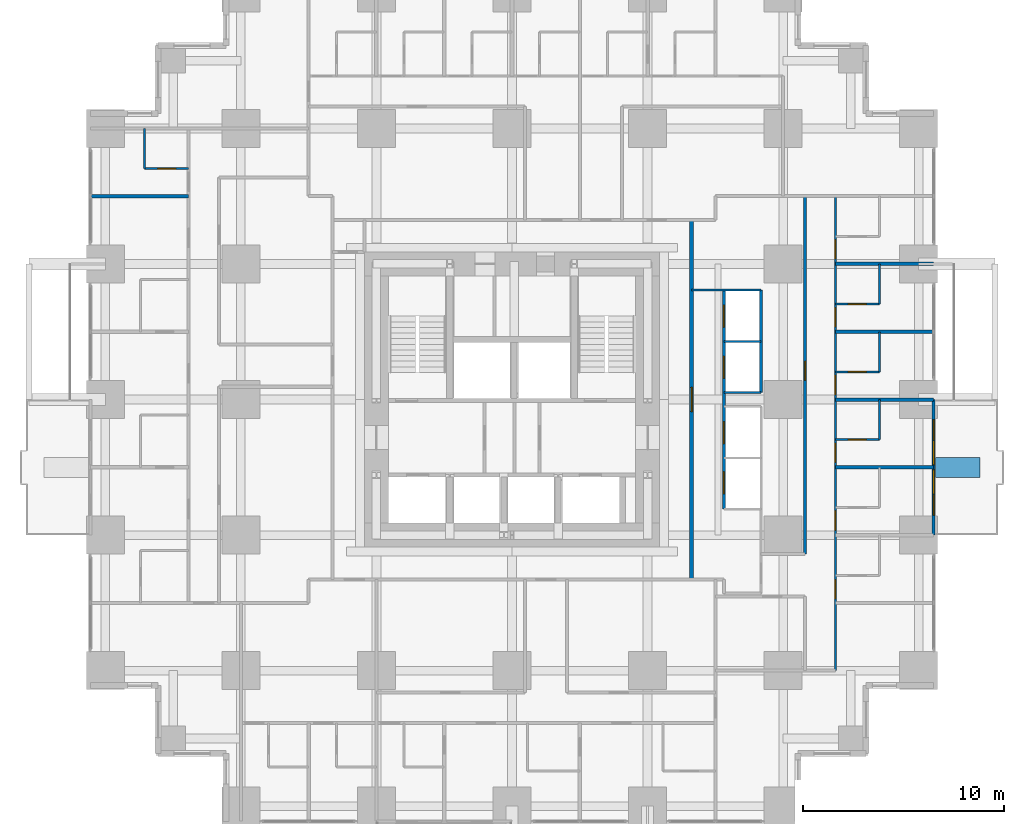
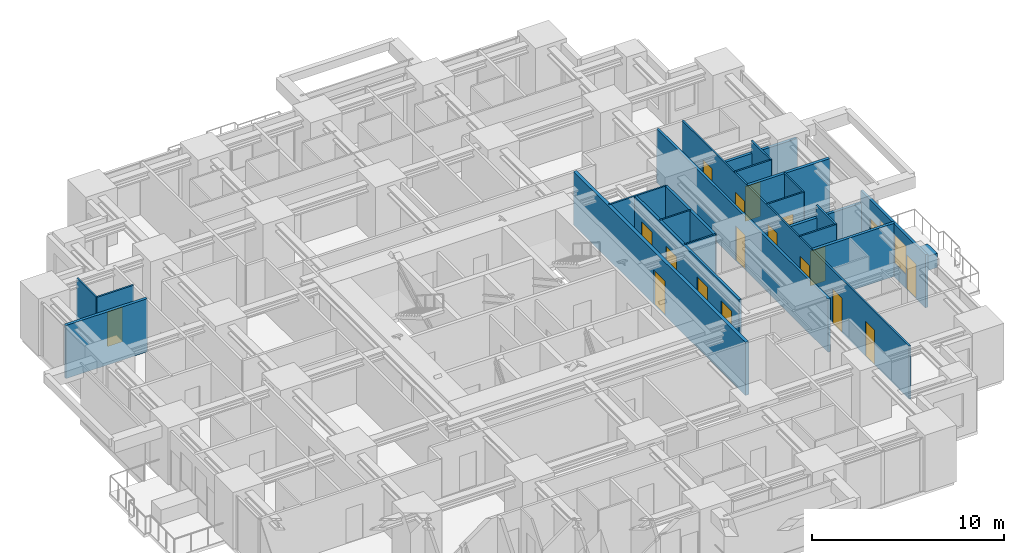
# One storey, part 11 of 15: 23 walls, 18 doors, 2 windows, 20 openings.
"""IFC4 building model written with IfcOpenShell, lengths in metres."""

from ifc_helpers import new_model, si_unit, direction, frame, frame_2d, origin, place, context, subcontext, project, spatial, rectangle, extrude, material, layer, layer_set, type_object, element, fill, save


model = new_model("IFC4")

# Units and contexts
model_context = context("Model", 3, precision=1e-05, world=origin(), true_north=direction((0.0, 1.0)))
body_context = subcontext(model_context, "Body", "Model", "MODEL_VIEW")
ifc_project = project(units=[si_unit("LENGTHUNIT", "METRE"), si_unit("AREAUNIT", "SQUARE_METRE"), si_unit("VOLUMEUNIT", "CUBIC_METRE"), si_unit("PLANEANGLEUNIT", "RADIAN"), si_unit("MASSUNIT", "GRAM", prefix="KILO")], contexts=[model_context])

# Site, building, storey
site_placement = place(None, origin())
site = spatial("IfcSite", under=ifc_project, at=site_placement, CompositionType="ELEMENT")
building_placement = place(site_placement, origin())
building = spatial("IfcBuilding", under=site, at=building_placement, Name="Nyansa Garden Tower", CompositionType="ELEMENT")
storey_placement = place(building_placement, frame((0.0, 0.0, 25.199951171875)))
storey = spatial("IfcBuildingStorey", under=building, at=storey_placement, Name="L06", CompositionType="ELEMENT", Elevation=25.199951171875)

# Walls
ifc_material_1 = material(Name="Dense blockwork, plastered both sides, 55 dB", Category="masonry")
ifc_layer_1 = layer(ifc_material_1, 0.175048828125)
ifc_layer_set_1 = layer_set([ifc_layer_1], Name="Acoustic party wall PW175")
wall_type_1 = type_object("IfcWallType", Name="Acoustic party wall PW175", PredefinedType="PARTITIONING", material=ifc_layer_set_1)
for number, where, z_axis, x_axis, name in (
    (1, (-0.73388671875, 30.375, 0.0), (0.0, 0.0, 1.0), (1.0, 0.0, 0.0), "Party wall"),
    (2, (36.35009765625, 16.875, 0.0), (0.0, 0.0, 1.0), (1.0, 0.0, 0.0), "Party wall"),
):
    element("IfcWall", number, at=place(storey_placement, frame(where, z_axis=z_axis, x_axis=x_axis)), inside=storey, type_object=wall_type_1, Name=name, PredefinedType="PARTITIONING", context=body_context, shape_type="SweptSolid", body=[
        extrude(rectangle(XDim=4.8837890625, YDim=0.175048828125, at=frame_2d((2.44189453125, 0.0))), origin(), (0.0, 0.0, 1.0), 3.375),
    ])
wall_1_placement = place(storey_placement, frame((36.35009765625, 20.25, 0.0), z_axis=(0.0, 0.0, 1.0), x_axis=(1.0, 0.0, 0.0)))
element("IfcWall", 3, at=wall_1_placement, inside=storey, type_object=wall_type_1, Name="Party wall", PredefinedType="PARTITIONING", context=body_context, shape_type="SweptSolid", body=[
    extrude(rectangle(XDim=4.8837890625, YDim=0.175048828125, at=frame_2d((2.44189453125, 0.0))), origin(), (0.0, 0.0, 1.0), 2.610107421875),
])
wall_2_placement = place(storey_placement, frame((36.35009765625, 23.625, 0.0), z_axis=(0.0, 0.0, 1.0), x_axis=(1.0, 0.0, 0.0)))
element("IfcWall", 4, at=wall_2_placement, inside=storey, type_object=wall_type_1, Name="Party wall", PredefinedType="PARTITIONING", context=body_context, shape_type="SweptSolid", body=[
    extrude(rectangle(XDim=4.8837890625, YDim=0.175048828125, at=frame_2d((2.44189453125, 0.0))), origin(), (0.0, 0.0, 1.0), 3.375),
])
wall_3_placement = place(storey_placement, frame((36.35009765625, 27.0, 0.0), z_axis=(0.0, 0.0, 1.0), x_axis=(1.0, 0.0, 0.0)))
element("IfcWall", 5, at=wall_3_placement, inside=storey, type_object=wall_type_1, Name="Party wall", PredefinedType="PARTITIONING", context=body_context, shape_type="SweptSolid", body=[
    extrude(rectangle(XDim=4.8837890625, YDim=0.175048828125, at=frame_2d((2.44189453125, 0.0))), origin(), (0.0, 0.0, 1.0), 2.610107421875),
])

# Wall, openings, doors, windows
ifc_material_2 = material(Name="Black aluminium framed glazed screen", Category="aluminium")
ifc_layer_2 = layer(ifc_material_2, 0.14990234375)
ifc_layer_set_2 = layer_set([ifc_layer_2], Name="Balcony screen wall BW150")
wall_type_2 = type_object("IfcWallType", Name="Balcony screen wall BW150", PredefinedType="SOLIDWALL", material=ifc_layer_set_2)
wall_4_placement = place(storey_placement, frame((41.25, 20.25, 0.0), z_axis=(0.0, 0.0, 1.0), x_axis=(0.0, -1.0, 0.0)))
wall_4 = element("IfcWall", 6, at=wall_4_placement, inside=storey, type_object=wall_type_2, Name="Glazed screen wall L06 E", PredefinedType="SOLIDWALL", context=body_context, shape_type="SweptSolid", body=[
    extrude(rectangle(XDim=6.75, YDim=0.14990234375, at=frame_2d((3.375, 0.0))), origin(), (0.0, 0.0, 1.0), 3.375),
])
opening_1_placement = place(wall_4_placement, frame((0.995849609375, 0.0, 0.0)))
opening_1 = element("IfcOpeningElement", 7, at=opening_1_placement, cuts=wall_4, Name="Opening D20", PredefinedType="OPENING", context=body_context, shape_type="SweptSolid", body=[
    extrude(rectangle(XDim=1.0, YDim=2.199951171875, at=frame_2d((0.5, 1.10009765625))), frame((0.0, 0.0849609375, 0.0), z_axis=(0.0, -1.0, 0.0), x_axis=(1.0, 0.0, 0.0)), (0.0, 0.0, 1.0), 0.169921875),
])
opening_2_placement = place(wall_4_placement, frame((2.041748046875, 0.0, 0.89990234375)))
opening_2 = element("IfcOpeningElement", 8, at=opening_2_placement, cuts=wall_4, Name="Opening W6", PredefinedType="OPENING", context=body_context, shape_type="SweptSolid", body=[
    extrude(rectangle(XDim=1.199951171875, YDim=1.800048828125, at=frame_2d((0.60009765625, 0.89990234375))), frame((0.0, 0.0849609375, 0.0), z_axis=(0.0, -1.0, 0.0), x_axis=(1.0, 0.0, 0.0)), (0.0, 0.0, 1.0), 0.169921875),
])
opening_3_placement = place(wall_4_placement, frame((4.754150390625, 0.0, 0.0)))
opening_3 = element("IfcOpeningElement", 9, at=opening_3_placement, cuts=wall_4, Name="Opening D20", PredefinedType="OPENING", context=body_context, shape_type="SweptSolid", body=[
    extrude(rectangle(XDim=1.0, YDim=2.199951171875, at=frame_2d((0.5, 1.10009765625))), frame((0.0, 0.0849609375, 0.0), z_axis=(0.0, -1.0, 0.0), x_axis=(1.0, 0.0, 0.0)), (0.0, 0.0, 1.0), 0.169921875),
])
opening_4_placement = place(wall_4_placement, frame((3.50830078125, 0.0, 0.89990234375)))
opening_4 = element("IfcOpeningElement", 10, at=opening_4_placement, cuts=wall_4, Name="Opening W6", PredefinedType="OPENING", context=body_context, shape_type="SweptSolid", body=[
    extrude(rectangle(XDim=1.199951171875, YDim=1.800048828125, at=frame_2d((0.60009765625, 0.89990234375))), frame((0.0, 0.0849609375, 0.0), z_axis=(0.0, -1.0, 0.0), x_axis=(1.0, 0.0, 0.0)), (0.0, 0.0, 1.0), 0.169921875),
])
ifc_material_3 = material(Name="Black aluminium framed glazed door", Category="aluminium")
door_type_1 = type_object("IfcDoorType", Name="Balcony door D20 1000x2200", OperationType="NOTDEFINED", PredefinedType="DOOR", material=ifc_material_3)
door_1_placement = place(opening_1_placement, origin())
door_1 = element("IfcDoor", 11, at=door_1_placement, inside=storey, type_object=door_type_1, Name="Balcony door L06", OperationType="SINGLE_SWING_LEFT", OverallHeight=2.199951171875, OverallWidth=1.0, PredefinedType="DOOR", context=body_context, shape_type="SweptSolid", body=[
    extrude(rectangle(XDim=1.0, YDim=2.199951171875, at=frame_2d((0.5, 1.10009765625))), frame((0.0, 0.02490234375, 0.0), z_axis=(0.0, -1.0, 0.0), x_axis=(1.0, 0.0, 0.0)), (0.0, 0.0, 1.0), 0.050048828125),
])
fill(opening_1, door_1)
door_2_placement = place(opening_3_placement, origin())
door_2 = element("IfcDoor", 12, at=door_2_placement, inside=storey, type_object=door_type_1, Name="Balcony door L06", OperationType="SINGLE_SWING_RIGHT", OverallHeight=2.199951171875, OverallWidth=1.0, PredefinedType="DOOR", context=body_context, shape_type="SweptSolid", body=[
    extrude(rectangle(XDim=1.0, YDim=2.199951171875, at=frame_2d((0.5, 1.10009765625))), frame((0.0, 0.02490234375, 0.0), z_axis=(0.0, -1.0, 0.0), x_axis=(1.0, 0.0, 0.0)), (0.0, 0.0, 1.0), 0.050048828125),
])
fill(opening_3, door_2)
ifc_material_4 = material(Name="Black aluminium frame, dark tinted double glazing", Category="aluminium")
window_type = type_object("IfcWindowType", Name="Balcony window W6 1200x1800", PartitioningType="SINGLE_PANEL", PredefinedType="WINDOW", material=ifc_material_4)
window_1_placement = place(opening_2_placement, origin())
window_1 = element("IfcWindow", 13, at=window_1_placement, inside=storey, type_object=window_type, Name="Window L06", OverallHeight=1.800048828125, OverallWidth=1.199951171875, PartitioningType="SINGLE_PANEL", PredefinedType="WINDOW", context=body_context, shape_type="SweptSolid", body=[
    extrude(rectangle(XDim=1.199951171875, YDim=1.800048828125, at=frame_2d((0.60009765625, 0.89990234375))), frame((0.0, 0.030029296875, 0.0), z_axis=(0.0, -1.0, 0.0), x_axis=(1.0, 0.0, 0.0)), (0.0, 0.0, 1.0), 0.06005859375),
])
fill(opening_2, window_1)
window_2_placement = place(opening_4_placement, origin())
window_2 = element("IfcWindow", 14, at=window_2_placement, inside=storey, type_object=window_type, Name="Window L06", OverallHeight=1.800048828125, OverallWidth=1.199951171875, PartitioningType="SINGLE_PANEL", PredefinedType="WINDOW", context=body_context, shape_type="SweptSolid", body=[
    extrude(rectangle(XDim=1.199951171875, YDim=1.800048828125, at=frame_2d((0.60009765625, 0.89990234375))), frame((0.0, 0.030029296875, 0.0), z_axis=(0.0, -1.0, 0.0), x_axis=(1.0, 0.0, 0.0)), (0.0, 0.0, 1.0), 0.06005859375),
])
fill(opening_4, window_2)

# Wall, opening, door
ifc_material_5 = material(Name="Concrete blockwork, plastered, 60 minute fire resisting", Category="masonry")
ifc_layer_3 = layer(ifc_material_5, 0.199951171875)
ifc_layer_set_3 = layer_set([ifc_layer_3], Name="Corridor wall FW200")
wall_type_3 = type_object("IfcWallType", Name="Corridor wall FW200", PredefinedType="PARTITIONING", material=ifc_layer_set_3)
wall_5_placement = place(storey_placement, frame((29.199951171875, 11.300048828125, 0.0), z_axis=(0.0, 0.0, 1.0), x_axis=(0.0, 1.0, 0.0)))
wall_5 = element("IfcWall", 15, at=wall_5_placement, inside=storey, type_object=wall_type_3, Name="Corridor wall", PredefinedType="PARTITIONING", context=body_context, shape_type="SweptSolid", body=[
    extrude(rectangle(XDim=17.89990234375, YDim=0.199951171875, at=frame_2d((8.949951171875, 0.0))), origin(), (0.0, 0.0, 1.0), 3.375),
])
opening_5_placement = place(wall_5_placement, frame((8.35009765625, 0.0, 0.0)))
opening_5 = element("IfcOpeningElement", 16, at=opening_5_placement, cuts=wall_5, Name="Opening D06", PredefinedType="OPENING", context=body_context, shape_type="SweptSolid", body=[
    extrude(rectangle(XDim=1.199951171875, YDim=2.199951171875, at=frame_2d((0.60009765625, 1.10009765625))), frame((0.0, 0.10986328125, 0.0), z_axis=(0.0, -1.0, 0.0), x_axis=(1.0, 0.0, 0.0)), (0.0, 0.0, 1.0), 0.219970703125),
])
ifc_material_6 = material(Name="Steel door, 120 minute fire resisting", Category="steel")
door_type_2 = type_object("IfcDoorType", Name="Lobby door D06 1200x2200", OperationType="DOUBLE_DOOR_SINGLE_SWING", PredefinedType="DOOR", material=ifc_material_6)
door_3_placement = place(opening_5_placement, origin())
door_3 = element("IfcDoor", 17, at=door_3_placement, inside=storey, type_object=door_type_2, Name="Low-rise lift lobby door", OperationType="DOUBLE_DOOR_SINGLE_SWING", OverallHeight=2.199951171875, OverallWidth=1.199951171875, PredefinedType="DOOR", context=body_context, shape_type="SweptSolid", body=[
    extrude(rectangle(XDim=1.199951171875, YDim=2.199951171875, at=frame_2d((0.60009765625, 1.10009765625))), frame((0.0, 0.02490234375, 0.0), z_axis=(0.0, -1.0, 0.0), x_axis=(1.0, 0.0, 0.0)), (0.0, 0.0, 1.0), 0.050048828125),
])
fill(opening_5, door_3)

# Walls
ifc_material_7 = material(Name="Steel-stud shaft wall, two layers fire-rated board, EI 120", Category="steel")
ifc_layer_4 = layer(ifc_material_7, 0.10009765625)
ifc_layer_set_4 = layer_set([ifc_layer_4], Name="Lift shaft wall SW100")
wall_type_4 = type_object("IfcWallType", Name="Lift shaft wall SW100", PredefinedType="SHEAR", material=ifc_layer_set_4)
wall_6_placement = place(storey_placement, frame((29.199951171875, 25.699951171875, 0.0), z_axis=(0.0, 0.0, 1.0), x_axis=(1.0, 0.0, 0.0)))
element("IfcWall", 18, at=wall_6_placement, inside=storey, type_object=wall_type_4, Name="Lift shaft wall", PredefinedType="SHEAR", context=body_context, shape_type="SweptSolid", body=[
    extrude(rectangle(XDim=3.449951171875, YDim=0.10009765625, at=frame_2d((1.72509765625, 0.0))), origin(), (0.0, 0.0, 1.0), 3.375),
])
for number, where, z_axis, x_axis, name in (
    (19, (30.800048828125, 20.60009765625, 0.0), (0.0, 0.0, 1.0), (1.0, 0.0, 0.0), "Lift shaft wall"),
    (20, (30.800048828125, 23.14990234375, 0.0), (0.0, 0.0, 1.0), (1.0, 0.0, 0.0), "Lift shaft wall"),
):
    element("IfcWall", number, at=place(storey_placement, frame(where, z_axis=z_axis, x_axis=x_axis)), inside=storey, type_object=wall_type_4, Name=name, PredefinedType="SHEAR", context=body_context, shape_type="SweptSolid", body=[
        extrude(rectangle(XDim=1.849853515625, YDim=0.10009765625, at=frame_2d((0.9248046875, 0.0))), origin(), (0.0, 0.0, 1.0), 3.375),
    ])

# Wall, openings, doors
ifc_material_8 = material(Name="Blockwork, plastered both sides", Category="masonry")
ifc_layer_5 = layer(ifc_material_8, 0.14990234375)
ifc_layer_set_5 = layer_set([ifc_layer_5], Name="Partition PW150")
wall_type_5 = type_object("IfcWallType", Name="Partition PW150", PredefinedType="PARTITIONING", material=ifc_layer_set_5)
wall_7_placement = place(storey_placement, frame((30.800048828125, 14.800048828125, 0.0), z_axis=(0.0, 0.0, 1.0), x_axis=(0.0, 1.0, 0.0)))
wall_7 = element("IfcWall", 21, at=wall_7_placement, inside=storey, type_object=wall_type_5, Name="Partition", PredefinedType="PARTITIONING", context=body_context, shape_type="SweptSolid", body=[
    extrude(rectangle(XDim=10.89990234375, YDim=0.14990234375, at=frame_2d((5.449951171875, 0.0))), origin(), (0.0, 0.0, 1.0), 3.375),
])
opening_6_placement = place(wall_7_placement, frame((0.75, 0.0, 0.0)))
opening_6 = element("IfcOpeningElement", 22, at=opening_6_placement, cuts=wall_7, Name="Opening LD-A", PredefinedType="OPENING", context=body_context, shape_type="SweptSolid", body=[
    extrude(rectangle(XDim=1.10009765625, YDim=2.199951171875, at=frame_2d((0.550048828125, 1.10009765625))), frame((0.0, 0.0849609375, 0.0), z_axis=(0.0, -1.0, 0.0), x_axis=(1.0, 0.0, 0.0)), (0.0, 0.0, 1.0), 0.169921875),
])
opening_7_placement = place(wall_7_placement, frame((3.25, 0.0, 0.0)))
opening_7 = element("IfcOpeningElement", 23, at=opening_7_placement, cuts=wall_7, Name="Opening LD-A", PredefinedType="OPENING", context=body_context, shape_type="SweptSolid", body=[
    extrude(rectangle(XDim=1.10009765625, YDim=2.199951171875, at=frame_2d((0.550048828125, 1.10009765625))), frame((0.0, 0.0849609375, 0.0), z_axis=(0.0, -1.0, 0.0), x_axis=(1.0, 0.0, 0.0)), (0.0, 0.0, 1.0), 0.169921875),
])
opening_8_placement = place(wall_7_placement, frame((6.5, 0.0, 0.0)))
opening_8 = element("IfcOpeningElement", 24, at=opening_8_placement, cuts=wall_7, Name="Opening LD-A", PredefinedType="OPENING", context=body_context, shape_type="SweptSolid", body=[
    extrude(rectangle(XDim=1.10009765625, YDim=2.199951171875, at=frame_2d((0.550048828125, 1.10009765625))), frame((0.0, 0.0849609375, 0.0), z_axis=(0.0, -1.0, 0.0), x_axis=(1.0, 0.0, 0.0)), (0.0, 0.0, 1.0), 0.169921875),
])
opening_9_placement = place(wall_7_placement, frame((9.050048828125, 0.0, 0.0)))
opening_9 = element("IfcOpeningElement", 25, at=opening_9_placement, cuts=wall_7, Name="Opening LD-A", PredefinedType="OPENING", context=body_context, shape_type="SweptSolid", body=[
    extrude(rectangle(XDim=1.10009765625, YDim=2.199951171875, at=frame_2d((0.550048828125, 1.10009765625))), frame((0.0, 0.0849609375, 0.0), z_axis=(0.0, -1.0, 0.0), x_axis=(1.0, 0.0, 0.0)), (0.0, 0.0, 1.0), 0.169921875),
])
ifc_material_9 = material(Name="Stainless steel centre-opening landing door of the low-rise lift, E 120", Category="steel")
door_type_3 = type_object("IfcDoorType", Name="Lift landing door LD-A 1100x2200", OperationType="DOUBLE_DOOR_SLIDING", PredefinedType="DOOR", material=ifc_material_9)
door_4_placement = place(opening_6_placement, origin())
door_4 = element("IfcDoor", 26, at=door_4_placement, inside=storey, type_object=door_type_3, Name="Landing door A1", OperationType="DOUBLE_DOOR_SLIDING", OverallHeight=2.199951171875, OverallWidth=1.10009765625, PredefinedType="DOOR", context=body_context, shape_type="SweptSolid", body=[
    extrude(rectangle(XDim=1.10009765625, YDim=2.199951171875, at=frame_2d((0.550048828125, 1.10009765625))), frame((0.0, 0.02490234375, 0.0), z_axis=(0.0, -1.0, 0.0), x_axis=(1.0, 0.0, 0.0)), (0.0, 0.0, 1.0), 0.050048828125),
])
fill(opening_6, door_4)
door_5_placement = place(opening_7_placement, origin())
door_5 = element("IfcDoor", 27, at=door_5_placement, inside=storey, type_object=door_type_3, Name="Landing door A2", OperationType="DOUBLE_DOOR_SLIDING", OverallHeight=2.199951171875, OverallWidth=1.10009765625, PredefinedType="DOOR", context=body_context, shape_type="SweptSolid", body=[
    extrude(rectangle(XDim=1.10009765625, YDim=2.199951171875, at=frame_2d((0.550048828125, 1.10009765625))), frame((0.0, 0.02490234375, 0.0), z_axis=(0.0, -1.0, 0.0), x_axis=(1.0, 0.0, 0.0)), (0.0, 0.0, 1.0), 0.050048828125),
])
fill(opening_7, door_5)
door_6_placement = place(opening_8_placement, origin())
door_6 = element("IfcDoor", 28, at=door_6_placement, inside=storey, type_object=door_type_3, Name="Landing door A3", OperationType="DOUBLE_DOOR_SLIDING", OverallHeight=2.199951171875, OverallWidth=1.10009765625, PredefinedType="DOOR", context=body_context, shape_type="SweptSolid", body=[
    extrude(rectangle(XDim=1.10009765625, YDim=2.199951171875, at=frame_2d((0.550048828125, 1.10009765625))), frame((0.0, 0.02490234375, 0.0), z_axis=(0.0, -1.0, 0.0), x_axis=(1.0, 0.0, 0.0)), (0.0, 0.0, 1.0), 0.050048828125),
])
fill(opening_8, door_6)
door_7_placement = place(opening_9_placement, origin())
door_7 = element("IfcDoor", 29, at=door_7_placement, inside=storey, type_object=door_type_3, Name="Landing door A4", OperationType="DOUBLE_DOOR_SLIDING", OverallHeight=2.199951171875, OverallWidth=1.10009765625, PredefinedType="DOOR", context=body_context, shape_type="SweptSolid", body=[
    extrude(rectangle(XDim=1.10009765625, YDim=2.199951171875, at=frame_2d((0.550048828125, 1.10009765625))), frame((0.0, 0.02490234375, 0.0), z_axis=(0.0, -1.0, 0.0), x_axis=(1.0, 0.0, 0.0)), (0.0, 0.0, 1.0), 0.050048828125),
])
fill(opening_9, door_7)

# Wall
wall_8_placement = place(storey_placement, frame((32.64990234375, 20.60009765625, 0.0), z_axis=(0.0, 0.0, 1.0), x_axis=(0.0, 1.0, 0.0)))
element("IfcWall", 30, at=wall_8_placement, inside=storey, type_object=wall_type_5, Name="Partition", PredefinedType="PARTITIONING", context=body_context, shape_type="SweptSolid", body=[
    extrude(rectangle(XDim=5.099853515625, YDim=0.14990234375, at=frame_2d((2.5498046875, 0.0))), origin(), (0.0, 0.0, 1.0), 3.375),
])

# Wall, opening, door
wall_9_placement = place(storey_placement, frame((34.85009765625, 12.550048828125, 0.0), z_axis=(0.0, 0.0, 1.0), x_axis=(0.0, 1.0, 0.0)))
wall_9 = element("IfcWall", 31, at=wall_9_placement, inside=storey, type_object=wall_type_5, Name="Partition", PredefinedType="PARTITIONING", context=body_context, shape_type="SweptSolid", body=[
    extrude(rectangle(XDim=17.824951171875, YDim=0.14990234375, at=frame_2d((8.91259765625, 0.0))), origin(), (0.0, 0.0, 1.0), 3.375),
])
opening_10_placement = place(wall_9_placement, frame((8.64990234375, 0.0, 0.0)))
opening_10 = element("IfcOpeningElement", 32, at=opening_10_placement, cuts=wall_9, Name="Opening D01", PredefinedType="OPENING", context=body_context, shape_type="SweptSolid", body=[
    extrude(rectangle(XDim=0.949951171875, YDim=2.199951171875, at=frame_2d((0.47509765625, 1.10009765625))), frame((0.0, 0.0849609375, 0.0), z_axis=(0.0, -1.0, 0.0), x_axis=(1.0, 0.0, 0.0)), (0.0, 0.0, 1.0), 0.169921875),
])
ifc_material_10 = material(Name="Timber flush door, 30 minute fire resisting", Category="wood")
door_type_4 = type_object("IfcDoorType", Name="Bedroom door D01 950x2200", OperationType="SINGLE_SWING_LEFT", PredefinedType="DOOR", material=ifc_material_10)
door_8_placement = place(opening_10_placement, origin())
door_8 = element("IfcDoor", 33, at=door_8_placement, inside=storey, type_object=door_type_4, Name="Door L06-047", OperationType="SINGLE_SWING_LEFT", OverallHeight=2.199951171875, OverallWidth=0.949951171875, PredefinedType="DOOR", context=body_context, shape_type="SweptSolid", body=[
    extrude(rectangle(XDim=0.949951171875, YDim=2.199951171875, at=frame_2d((0.47509765625, 1.10009765625))), frame((0.0, 0.02490234375, 0.0), z_axis=(0.0, -1.0, 0.0), x_axis=(1.0, 0.0, 0.0)), (0.0, 0.0, 1.0), 0.050048828125),
])
fill(opening_10, door_8)

# Walls
ifc_material_11 = material(Name="Concrete C40/50 planter, waterproofed", Category="concrete")
ifc_layer_6 = layer(ifc_material_11, 1.0)
ifc_layer_set_6 = layer_set([ifc_layer_6], Name="Tree planter TP1")
wall_type_6 = type_object("IfcWallType", Name="Tree planter TP1", PredefinedType="USERDEFINED", material=ifc_layer_set_6)
wall_10_placement = place(storey_placement, frame((41.35009765625, 16.875, 0.0), z_axis=(0.0, 0.0, 1.0), x_axis=(1.0, 0.0, 0.0)))
element("IfcWall", 34, at=wall_10_placement, inside=storey, type_object=wall_type_6, Name="Tree planter L06", ObjectType="TREE PLANTER", PredefinedType="USERDEFINED", context=body_context, shape_type="SweptSolid", body=[
    extrude(rectangle(XDim=2.199951171875, YDim=1.0, at=frame_2d((1.10009765625, 0.0))), origin(), (0.0, 0.0, 1.0), 0.900146484375),
])
ifc_material_12 = material(Name="Moisture resistant board on steel studs, tiled", Category="steel")
ifc_layer_7 = layer(ifc_material_12, 0.10009765625)
ifc_layer_set_7 = layer_set([ifc_layer_7], Name="Wet wall PW100")
wall_type_7 = type_object("IfcWallType", Name="Wet wall PW100", PredefinedType="PARTITIONING", material=ifc_layer_set_7)
wall_11_placement = place(storey_placement, frame((1.949951171875, 31.75, 0.0), z_axis=(0.0, 0.0, 1.0), x_axis=(0.0, 1.0, 0.0)))
element("IfcWall", 35, at=wall_11_placement, inside=storey, type_object=wall_type_7, Name="Wet wall", PredefinedType="PARTITIONING", context=body_context, shape_type="SweptSolid", body=[
    extrude(rectangle(XDim=2.0, YDim=0.10009765625, at=frame_2d((1.0, 0.0))), origin(), (0.0, 0.0, 1.0), 3.375),
])

# Wall, opening, door
wall_12_placement = place(storey_placement, frame((1.949951171875, 31.75, 0.0), z_axis=(0.0, 0.0, 1.0), x_axis=(1.0, 0.0, 0.0)))
wall_12 = element("IfcWall", 36, at=wall_12_placement, inside=storey, type_object=wall_type_7, Name="Wet wall", PredefinedType="PARTITIONING", context=body_context, shape_type="SweptSolid", body=[
    extrude(rectangle(XDim=2.199951171875, YDim=0.10009765625, at=frame_2d((1.10009765625, 0.0))), origin(), (0.0, 0.0, 1.0), 3.375),
])
opening_11_placement = place(wall_12_placement, frame((0.64990234375, 0.0, 0.0)))
opening_11 = element("IfcOpeningElement", 37, at=opening_11_placement, cuts=wall_12, Name="Opening D02", PredefinedType="OPENING", context=body_context, shape_type="SweptSolid", body=[
    extrude(rectangle(XDim=0.89990234375, YDim=2.199951171875, at=frame_2d((0.449951171875, 1.10009765625))), frame((0.0, 0.06005859375, 0.0), z_axis=(0.0, -1.0, 0.0), x_axis=(1.0, 0.0, 0.0)), (0.0, 0.0, 1.0), 0.1201171875),
])
ifc_material_13 = material(Name="Timber flush door", Category="wood")
door_type_5 = type_object("IfcDoorType", Name="En-suite door D02 900x2200", OperationType="SINGLE_SWING_RIGHT", PredefinedType="DOOR", material=ifc_material_13)
door_9_placement = place(opening_11_placement, origin())
door_9 = element("IfcDoor", 38, at=door_9_placement, inside=storey, type_object=door_type_5, Name="Door L06-074", OperationType="SINGLE_SWING_RIGHT", OverallHeight=2.199951171875, OverallWidth=0.89990234375, PredefinedType="DOOR", context=body_context, shape_type="SweptSolid", body=[
    extrude(rectangle(XDim=0.89990234375, YDim=2.199951171875, at=frame_2d((0.449951171875, 1.10009765625))), frame((0.0, 0.02490234375, 0.0), z_axis=(0.0, -1.0, 0.0), x_axis=(1.0, 0.0, 0.0)), (0.0, 0.0, 1.0), 0.050048828125),
])
fill(opening_11, door_9)

# Wall, openings, doors
wall_13_placement = place(storey_placement, frame((36.35009765625, 6.75, 0.0), z_axis=(0.0, 0.0, 1.0), x_axis=(0.0, 1.0, 0.0)))
wall_13 = element("IfcWall", 39, at=wall_13_placement, inside=storey, type_object=wall_type_7, Name="Wet wall", PredefinedType="PARTITIONING", context=body_context, shape_type="SweptSolid", body=[
    extrude(rectangle(XDim=23.625, YDim=0.10009765625, at=frame_2d((11.8125, 0.0))), origin(), (0.0, 0.0, 1.0), 3.375),
])
opening_12_placement = place(wall_13_placement, frame((3.574951171875, 0.0, 0.0)))
opening_12 = element("IfcOpeningElement", 40, at=opening_12_placement, cuts=wall_13, Name="Opening D14", PredefinedType="OPENING", context=body_context, shape_type="SweptSolid", body=[
    extrude(rectangle(XDim=0.949951171875, YDim=2.199951171875, at=frame_2d((0.47509765625, 1.10009765625))), frame((0.0, 0.06005859375, 0.0), z_axis=(0.0, -1.0, 0.0), x_axis=(1.0, 0.0, 0.0)), (0.0, 0.0, 1.0), 0.1201171875),
])
opening_13_placement = place(wall_13_placement, frame((7.0, 0.0, 0.0)))
opening_13 = element("IfcOpeningElement", 41, at=opening_13_placement, cuts=wall_13, Name="Opening D14", PredefinedType="OPENING", context=body_context, shape_type="SweptSolid", body=[
    extrude(rectangle(XDim=0.949951171875, YDim=2.199951171875, at=frame_2d((0.47509765625, 1.10009765625))), frame((0.0, 0.06005859375, 0.0), z_axis=(0.0, -1.0, 0.0), x_axis=(1.0, 0.0, 0.0)), (0.0, 0.0, 1.0), 0.1201171875),
])
opening_14_placement = place(wall_13_placement, frame((10.375, 0.0, 0.0)))
opening_14 = element("IfcOpeningElement", 42, at=opening_14_placement, cuts=wall_13, Name="Opening D14", PredefinedType="OPENING", context=body_context, shape_type="SweptSolid", body=[
    extrude(rectangle(XDim=0.949951171875, YDim=2.199951171875, at=frame_2d((0.47509765625, 1.10009765625))), frame((0.0, 0.06005859375, 0.0), z_axis=(0.0, -1.0, 0.0), x_axis=(1.0, 0.0, 0.0)), (0.0, 0.0, 1.0), 0.1201171875),
])
opening_15_placement = place(wall_13_placement, frame((13.75, 0.0, 0.0)))
opening_15 = element("IfcOpeningElement", 43, at=opening_15_placement, cuts=wall_13, Name="Opening D14", PredefinedType="OPENING", context=body_context, shape_type="SweptSolid", body=[
    extrude(rectangle(XDim=0.949951171875, YDim=2.199951171875, at=frame_2d((0.47509765625, 1.10009765625))), frame((0.0, 0.06005859375, 0.0), z_axis=(0.0, -1.0, 0.0), x_axis=(1.0, 0.0, 0.0)), (0.0, 0.0, 1.0), 0.1201171875),
])
opening_16_placement = place(wall_13_placement, frame((17.125, 0.0, 0.0)))
opening_16 = element("IfcOpeningElement", 44, at=opening_16_placement, cuts=wall_13, Name="Opening D14", PredefinedType="OPENING", context=body_context, shape_type="SweptSolid", body=[
    extrude(rectangle(XDim=0.949951171875, YDim=2.199951171875, at=frame_2d((0.47509765625, 1.10009765625))), frame((0.0, 0.06005859375, 0.0), z_axis=(0.0, -1.0, 0.0), x_axis=(1.0, 0.0, 0.0)), (0.0, 0.0, 1.0), 0.1201171875),
])
opening_17_placement = place(wall_13_placement, frame((20.5, 0.0, 0.0)))
opening_17 = element("IfcOpeningElement", 45, at=opening_17_placement, cuts=wall_13, Name="Opening D14", PredefinedType="OPENING", context=body_context, shape_type="SweptSolid", body=[
    extrude(rectangle(XDim=0.949951171875, YDim=2.199951171875, at=frame_2d((0.47509765625, 1.10009765625))), frame((0.0, 0.06005859375, 0.0), z_axis=(0.0, -1.0, 0.0), x_axis=(1.0, 0.0, 0.0)), (0.0, 0.0, 1.0), 0.1201171875),
])
ifc_material_14 = material(Name="Timber flush door, 60 minute fire resisting, self-closing", Category="wood")
door_type_6 = type_object("IfcDoorType", Name="Studio entrance door D14 950x2200", OperationType="SINGLE_SWING_LEFT", PredefinedType="DOOR", material=ifc_material_14)
door_10_placement = place(opening_12_placement, origin())
door_10 = element("IfcDoor", 46, at=door_10_placement, inside=storey, type_object=door_type_6, Name="Door L06-034", OperationType="SINGLE_SWING_LEFT", OverallHeight=2.199951171875, OverallWidth=0.949951171875, PredefinedType="DOOR", context=body_context, shape_type="SweptSolid", body=[
    extrude(rectangle(XDim=0.949951171875, YDim=2.199951171875, at=frame_2d((0.47509765625, 1.10009765625))), frame((0.0, 0.02490234375, 0.0), z_axis=(0.0, -1.0, 0.0), x_axis=(1.0, 0.0, 0.0)), (0.0, 0.0, 1.0), 0.050048828125),
])
fill(opening_12, door_10)
door_11_placement = place(opening_13_placement, origin())
door_11 = element("IfcDoor", 47, at=door_11_placement, inside=storey, type_object=door_type_6, Name="Door L06-036", OperationType="SINGLE_SWING_LEFT", OverallHeight=2.199951171875, OverallWidth=0.949951171875, PredefinedType="DOOR", context=body_context, shape_type="SweptSolid", body=[
    extrude(rectangle(XDim=0.949951171875, YDim=2.199951171875, at=frame_2d((0.47509765625, 1.10009765625))), frame((0.0, 0.02490234375, 0.0), z_axis=(0.0, -1.0, 0.0), x_axis=(1.0, 0.0, 0.0)), (0.0, 0.0, 1.0), 0.050048828125),
])
fill(opening_13, door_11)
door_12_placement = place(opening_14_placement, origin())
door_12 = element("IfcDoor", 48, at=door_12_placement, inside=storey, type_object=door_type_6, Name="Door L06-038", OperationType="SINGLE_SWING_LEFT", OverallHeight=2.199951171875, OverallWidth=0.949951171875, PredefinedType="DOOR", context=body_context, shape_type="SweptSolid", body=[
    extrude(rectangle(XDim=0.949951171875, YDim=2.199951171875, at=frame_2d((0.47509765625, 1.10009765625))), frame((0.0, 0.02490234375, 0.0), z_axis=(0.0, -1.0, 0.0), x_axis=(1.0, 0.0, 0.0)), (0.0, 0.0, 1.0), 0.050048828125),
])
fill(opening_14, door_12)
door_13_placement = place(opening_15_placement, origin())
door_13 = element("IfcDoor", 49, at=door_13_placement, inside=storey, type_object=door_type_6, Name="Door L06-040", OperationType="SINGLE_SWING_LEFT", OverallHeight=2.199951171875, OverallWidth=0.949951171875, PredefinedType="DOOR", context=body_context, shape_type="SweptSolid", body=[
    extrude(rectangle(XDim=0.949951171875, YDim=2.199951171875, at=frame_2d((0.47509765625, 1.10009765625))), frame((0.0, 0.02490234375, 0.0), z_axis=(0.0, -1.0, 0.0), x_axis=(1.0, 0.0, 0.0)), (0.0, 0.0, 1.0), 0.050048828125),
])
fill(opening_15, door_13)
door_14_placement = place(opening_16_placement, origin())
door_14 = element("IfcDoor", 50, at=door_14_placement, inside=storey, type_object=door_type_6, Name="Door L06-042", OperationType="SINGLE_SWING_LEFT", OverallHeight=2.199951171875, OverallWidth=0.949951171875, PredefinedType="DOOR", context=body_context, shape_type="SweptSolid", body=[
    extrude(rectangle(XDim=0.949951171875, YDim=2.199951171875, at=frame_2d((0.47509765625, 1.10009765625))), frame((0.0, 0.02490234375, 0.0), z_axis=(0.0, -1.0, 0.0), x_axis=(1.0, 0.0, 0.0)), (0.0, 0.0, 1.0), 0.050048828125),
])
fill(opening_16, door_14)
door_15_placement = place(opening_17_placement, origin())
door_15 = element("IfcDoor", 51, at=door_15_placement, inside=storey, type_object=door_type_6, Name="Door L06-044", OperationType="SINGLE_SWING_LEFT", OverallHeight=2.199951171875, OverallWidth=0.949951171875, PredefinedType="DOOR", context=body_context, shape_type="SweptSolid", body=[
    extrude(rectangle(XDim=0.949951171875, YDim=2.199951171875, at=frame_2d((0.47509765625, 1.10009765625))), frame((0.0, 0.02490234375, 0.0), z_axis=(0.0, -1.0, 0.0), x_axis=(1.0, 0.0, 0.0)), (0.0, 0.0, 1.0), 0.050048828125),
])
fill(opening_17, door_15)

# Wall, opening, door
wall_14_placement = place(storey_placement, frame((36.35009765625, 18.25, 0.0), z_axis=(0.0, 0.0, 1.0), x_axis=(1.0, 0.0, 0.0)))
wall_14 = element("IfcWall", 52, at=wall_14_placement, inside=storey, type_object=wall_type_7, Name="Wet wall", PredefinedType="PARTITIONING", context=body_context, shape_type="SweptSolid", body=[
    extrude(rectangle(XDim=2.199951171875, YDim=0.10009765625, at=frame_2d((1.10009765625, 0.0))), origin(), (0.0, 0.0, 1.0), 3.375),
])
opening_18_placement = place(wall_14_placement, frame((0.64990234375, 0.0, 0.0)))
opening_18 = element("IfcOpeningElement", 53, at=opening_18_placement, cuts=wall_14, Name="Opening D02", PredefinedType="OPENING", context=body_context, shape_type="SweptSolid", body=[
    extrude(rectangle(XDim=0.89990234375, YDim=2.199951171875, at=frame_2d((0.449951171875, 1.10009765625))), frame((0.0, 0.06005859375, 0.0), z_axis=(0.0, -1.0, 0.0), x_axis=(1.0, 0.0, 0.0)), (0.0, 0.0, 1.0), 0.1201171875),
])
door_16_placement = place(opening_18_placement, origin())
door_16 = element("IfcDoor", 54, at=door_16_placement, inside=storey, type_object=door_type_5, Name="Door L06-039", OperationType="SINGLE_SWING_RIGHT", OverallHeight=2.199951171875, OverallWidth=0.89990234375, PredefinedType="DOOR", context=body_context, shape_type="SweptSolid", body=[
    extrude(rectangle(XDim=0.89990234375, YDim=2.199951171875, at=frame_2d((0.449951171875, 1.10009765625))), frame((0.0, 0.02490234375, 0.0), z_axis=(0.0, -1.0, 0.0), x_axis=(1.0, 0.0, 0.0)), (0.0, 0.0, 1.0), 0.050048828125),
])
fill(opening_18, door_16)

wall_15_placement = place(storey_placement, frame((36.35009765625, 21.625, 0.0), z_axis=(0.0, 0.0, 1.0), x_axis=(1.0, 0.0, 0.0)))
wall_15 = element("IfcWall", 55, at=wall_15_placement, inside=storey, type_object=wall_type_7, Name="Wet wall", PredefinedType="PARTITIONING", context=body_context, shape_type="SweptSolid", body=[
    extrude(rectangle(XDim=2.199951171875, YDim=0.10009765625, at=frame_2d((1.10009765625, 0.0))), origin(), (0.0, 0.0, 1.0), 3.375),
])
opening_19_placement = place(wall_15_placement, frame((0.64990234375, 0.0, 0.0)))
opening_19 = element("IfcOpeningElement", 56, at=opening_19_placement, cuts=wall_15, Name="Opening D02", PredefinedType="OPENING", context=body_context, shape_type="SweptSolid", body=[
    extrude(rectangle(XDim=0.89990234375, YDim=2.199951171875, at=frame_2d((0.449951171875, 1.10009765625))), frame((0.0, 0.06005859375, 0.0), z_axis=(0.0, -1.0, 0.0), x_axis=(1.0, 0.0, 0.0)), (0.0, 0.0, 1.0), 0.1201171875),
])
door_17_placement = place(opening_19_placement, origin())
door_17 = element("IfcDoor", 57, at=door_17_placement, inside=storey, type_object=door_type_5, Name="Door L06-041", OperationType="SINGLE_SWING_RIGHT", OverallHeight=2.199951171875, OverallWidth=0.89990234375, PredefinedType="DOOR", context=body_context, shape_type="SweptSolid", body=[
    extrude(rectangle(XDim=0.89990234375, YDim=2.199951171875, at=frame_2d((0.449951171875, 1.10009765625))), frame((0.0, 0.02490234375, 0.0), z_axis=(0.0, -1.0, 0.0), x_axis=(1.0, 0.0, 0.0)), (0.0, 0.0, 1.0), 0.050048828125),
])
fill(opening_19, door_17)

wall_16_placement = place(storey_placement, frame((36.35009765625, 25.0, 0.0), z_axis=(0.0, 0.0, 1.0), x_axis=(1.0, 0.0, 0.0)))
wall_16 = element("IfcWall", 58, at=wall_16_placement, inside=storey, type_object=wall_type_7, Name="Wet wall", PredefinedType="PARTITIONING", context=body_context, shape_type="SweptSolid", body=[
    extrude(rectangle(XDim=2.199951171875, YDim=0.10009765625, at=frame_2d((1.10009765625, 0.0))), origin(), (0.0, 0.0, 1.0), 3.375),
])
opening_20_placement = place(wall_16_placement, frame((0.64990234375, 0.0, 0.0)))
opening_20 = element("IfcOpeningElement", 59, at=opening_20_placement, cuts=wall_16, Name="Opening D02", PredefinedType="OPENING", context=body_context, shape_type="SweptSolid", body=[
    extrude(rectangle(XDim=0.89990234375, YDim=2.199951171875, at=frame_2d((0.449951171875, 1.10009765625))), frame((0.0, 0.06005859375, 0.0), z_axis=(0.0, -1.0, 0.0), x_axis=(1.0, 0.0, 0.0)), (0.0, 0.0, 1.0), 0.1201171875),
])
door_18_placement = place(opening_20_placement, origin())
door_18 = element("IfcDoor", 60, at=door_18_placement, inside=storey, type_object=door_type_5, Name="Door L06-043", OperationType="SINGLE_SWING_RIGHT", OverallHeight=2.199951171875, OverallWidth=0.89990234375, PredefinedType="DOOR", context=body_context, shape_type="SweptSolid", body=[
    extrude(rectangle(XDim=0.89990234375, YDim=2.199951171875, at=frame_2d((0.449951171875, 1.10009765625))), frame((0.0, 0.02490234375, 0.0), z_axis=(0.0, -1.0, 0.0), x_axis=(1.0, 0.0, 0.0)), (0.0, 0.0, 1.0), 0.050048828125),
])
fill(opening_20, door_18)

# Walls
for number, where, z_axis, x_axis, name in (
    (61, (38.550048828125, 18.25, 0.0), (0.0, 0.0, 1.0), (0.0, 1.0, 0.0), "Wet wall"),
    (62, (38.550048828125, 21.625, 0.0), (0.0, 0.0, 1.0), (0.0, 1.0, 0.0), "Wet wall"),
    (63, (38.550048828125, 25.0, 0.0), (0.0, 0.0, 1.0), (0.0, 1.0, 0.0), "Wet wall"),
):
    element("IfcWall", number, at=place(storey_placement, frame(where, z_axis=z_axis, x_axis=x_axis)), inside=storey, type_object=wall_type_7, Name=name, PredefinedType="PARTITIONING", context=body_context, shape_type="SweptSolid", body=[
        extrude(rectangle(XDim=2.0, YDim=0.10009765625, at=frame_2d((1.0, 0.0))), origin(), (0.0, 0.0, 1.0), 3.375),
    ])

save(model, "model.ifc")
